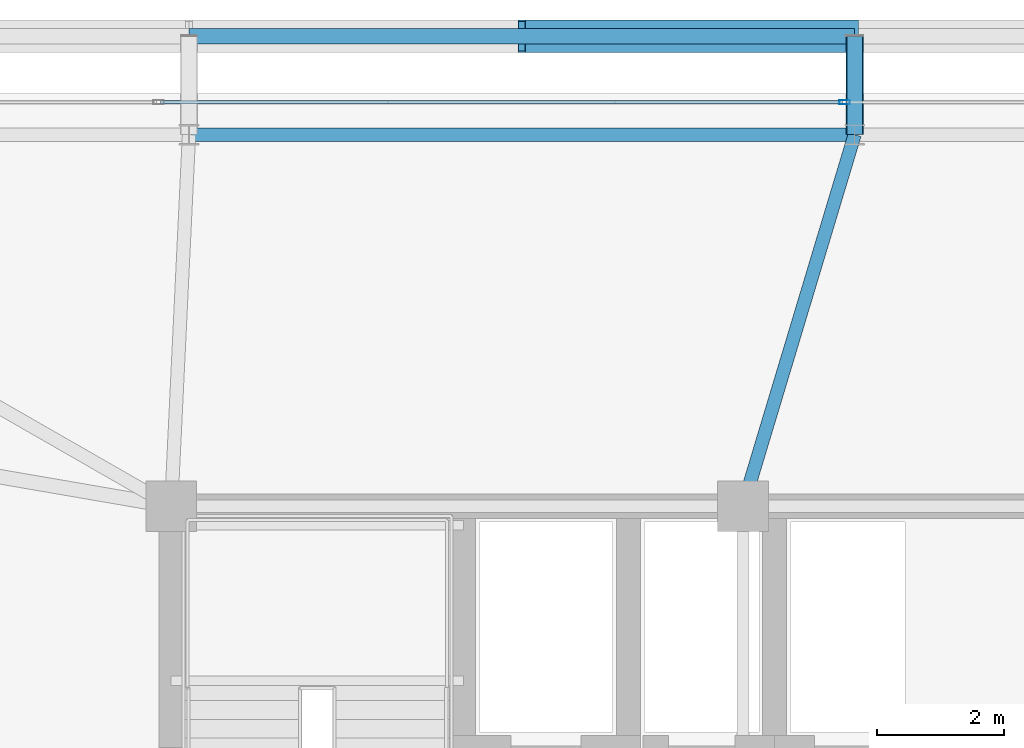
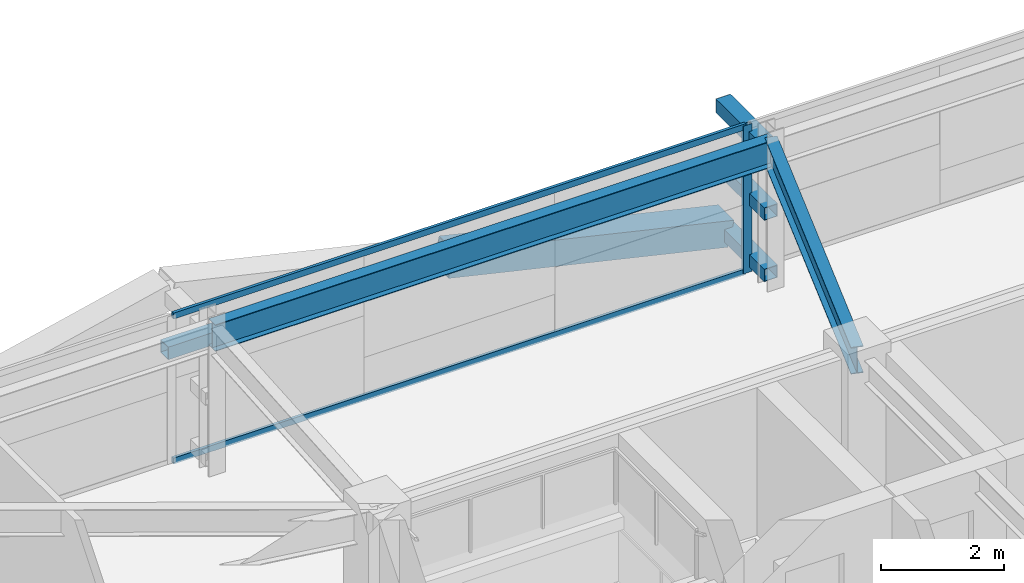
# One storey, part 24 of 44: 8 members, 2 beams, 1 element without a shape of its own.
"""IFC4 building model written with IfcOpenShell, lengths in metres."""

import ifcopenshell
import ifcopenshell.guid

model = None  # the IFC model being written
_history = None  # IfcOwnerHistory: only IFC2X3 demands one
_inside = {}  # id of a spatial element -> (the spatial element, [elements in it])
_under = {}  # id of a project, library or spatial element -> (it, [spatial elements below it])
_declared = {}  # id of a project -> (the project, [libraries it declares])
_typed = {}  # id of a type object -> (the type object, [elements of that type])
_made_of = {}  # id of a material, layer set ... -> (it, [elements and type objects made of it])


def new_model(schema):
    """Start an empty IFC model of exactly this schema.

    Asked for "IFC4X3", IfcOpenShell would pick the latest addendum, in which some entities
    have other attributes; the version numbers below select the first issue.
    IFC2X3 requires an IfcOwnerHistory on every rooted entity: one is made here for all.
    """
    global model, _history
    if schema == "IFC4X3":
        model = ifcopenshell.file(schema_version=(4, 3, 0, 0))
    else:
        model = ifcopenshell.file(schema=schema)
    _inside.clear()
    _under.clear()
    _declared.clear()
    _typed.clear()
    _made_of.clear()
    _history = None
    if model.schema == "IFC2X3":
        org = make("IfcOrganization", Name="unknown")
        user = make(
            "IfcPersonAndOrganization",
            ThePerson=make("IfcPerson", FamilyName="unknown"),
            TheOrganization=org,
        )
        app = make(
            "IfcApplication",
            ApplicationDeveloper=org,
            Version="unknown",
            ApplicationFullName="unknown",
            ApplicationIdentifier="unknown",
        )
        _history = make(
            "IfcOwnerHistory",
            OwningUser=user,
            OwningApplication=app,
            ChangeAction="ADDED",
            CreationDate=0,
        )
    return model


def make(cls, **values):
    """One entity of the class cls with the attributes given. An attribute that is None is left unset."""
    return model.create_entity(
        cls, **{name: value for name, value in values.items() if value is not None}
    )


def rooted(cls, **values):
    """An entity with a GlobalId (a new one), such as an element, a storey or a relation."""
    return make(cls, GlobalId=ifcopenshell.guid.new(), OwnerHistory=_history, **values)


def si_unit(unit_type, name, prefix=None):
    """IfcSIUnit, for example si_unit("LENGTHUNIT", "METRE", prefix="MILLI")."""
    return make("IfcSIUnit", UnitType=unit_type, Prefix=prefix, Name=name)


def assignment(units):
    """IfcUnitAssignment: the units of a project."""
    return None if units is None else make("IfcUnitAssignment", Units=units)


def point(xyz):
    """IfcCartesianPoint."""
    return None if xyz is None else make("IfcCartesianPoint", Coordinates=xyz)


def direction(xyz):
    """IfcDirection."""
    return None if xyz is None else make("IfcDirection", DirectionRatios=xyz)


def frame(location, z_axis=None, x_axis=None):
    """IfcAxis2Placement3D, a coordinate frame: its origin and axes. An axis left out is left unset."""
    return make(
        "IfcAxis2Placement3D",
        Location=point(location),
        Axis=direction(z_axis),
        RefDirection=direction(x_axis),
    )


def frame_2d(location, x_axis=None):
    """IfcAxis2Placement2D, a coordinate frame in the plane: its origin and x axis."""
    return make(
        "IfcAxis2Placement2D", Location=point(location), RefDirection=direction(x_axis)
    )


def origin():
    """The frame at (0, 0, 0) with its axes left unset."""
    return frame((0.0, 0.0, 0.0))


def origin_2d():
    """The frame at (0, 0) in the plane with its x axis left unset."""
    return frame_2d((0.0, 0.0))


def place(relative_to, where):
    """IfcLocalPlacement: puts the frame where relative to a parent placement (None: the world)."""
    return make(
        "IfcLocalPlacement", PlacementRelTo=relative_to, RelativePlacement=where
    )


def context(
    kind, dimensions, precision=None, world=None, true_north=None, identifier=None
):
    """IfcGeometricRepresentationContext, for example the 3D "Model" context."""
    return make(
        "IfcGeometricRepresentationContext",
        ContextIdentifier=identifier,
        ContextType=kind,
        CoordinateSpaceDimension=dimensions,
        Precision=precision,
        WorldCoordinateSystem=world,
        TrueNorth=true_north,
    )


def subcontext(parent, identifier, kind, view, scale=None):
    """IfcGeometricRepresentationSubContext, for example "Body" below "Model"."""
    return make(
        "IfcGeometricRepresentationSubContext",
        ContextIdentifier=identifier,
        ContextType=kind,
        ParentContext=parent,
        TargetScale=scale,
        TargetView=view,
    )


def project(units=None, contexts=None):
    """IfcProject with its units and contexts."""
    return rooted(
        "IfcProject",
        Name="project",
        RepresentationContexts=contexts,
        UnitsInContext=assignment(units),
    )


def spatial(cls, under=None, at=None, **own):
    """A site, building, storey or space (cls), placed at a placement, below another one or the project."""
    s = rooted(cls, ObjectPlacement=at, **own)
    if under is not None:
        _under.setdefault(under.id(), (under, []))[1].append(s)
    return s


def profile(cls, at=None, kind="AREA", **sizes):
    """A parametric profile (cls). Its sizes go by their IFC names, for example OverallWidth=200.0."""
    return make(cls, ProfileType=kind, Position=at, **sizes)


def hollow_rectangle(**sizes):
    """IfcRectangleHollowProfileDef."""
    return profile("IfcRectangleHollowProfileDef", **sizes)


def i_section(**sizes):
    """IfcIShapeProfileDef."""
    return profile("IfcIShapeProfileDef", **sizes)


def extrude(swept, where, along, depth):
    """IfcExtrudedAreaSolid: the profile swept, set in the frame where, extruded along a direction by depth."""
    return make(
        "IfcExtrudedAreaSolid",
        SweptArea=swept,
        Position=where,
        ExtrudedDirection=direction(along),
        Depth=depth,
    )


def shape(context_of_items, identifier, shape_type, items):
    """IfcShapeRepresentation: the items that make up one representation, for example the "Body"."""
    return make(
        "IfcShapeRepresentation",
        ContextOfItems=context_of_items,
        RepresentationIdentifier=identifier,
        RepresentationType=shape_type,
        Items=items,
    )


def source(mapping_origin, context_of_items, identifier, shape_type, items):
    """IfcRepresentationMap: a shape defined once, which mapped items show again and again."""
    return make(
        "IfcRepresentationMap",
        MappingOrigin=mapping_origin,
        MappedRepresentation=shape(context_of_items, identifier, shape_type, items),
    )


def transform(
    local_origin,
    x_axis=None,
    y_axis=None,
    z_axis=None,
    scale=None,
    scale2=None,
    scale3=None,
    uniform=True,
):
    """IfcCartesianTransformationOperator3D, or its non-uniform kind. x_axis, y_axis, z_axis: its Axis1, 2, 3."""
    if uniform:
        return make(
            "IfcCartesianTransformationOperator3D",
            Axis1=direction(x_axis),
            Axis2=direction(y_axis),
            LocalOrigin=point(local_origin),
            Scale=scale,
            Axis3=direction(z_axis),
        )
    return make(
        "IfcCartesianTransformationOperator3DnonUniform",
        Axis1=direction(x_axis),
        Axis2=direction(y_axis),
        LocalOrigin=point(local_origin),
        Scale=scale,
        Axis3=direction(z_axis),
        Scale2=scale2,
        Scale3=scale3,
    )


def mapped(mapping_source, mapping_target):
    """IfcMappedItem: shows the shape of a source again, moved by a transform."""
    return make(
        "IfcMappedItem", MappingSource=mapping_source, MappingTarget=mapping_target
    )


def material(Name=None, Category=None):
    """IfcMaterial."""
    return make("IfcMaterial", Name=Name, Category=Category)


def layer(
    of_material, thickness, ventilated=None, Name=None, Category=None, Priority=None
):
    """IfcMaterialLayer: one layer of a wall or slab, of a material (None: an air gap)."""
    return make(
        "IfcMaterialLayer",
        Material=of_material,
        LayerThickness=thickness,
        IsVentilated=ventilated,
        Name=Name,
        Category=Category,
        Priority=Priority,
    )


def layer_set(layers, Name=None):
    """IfcMaterialLayerSet."""
    return make("IfcMaterialLayerSet", MaterialLayers=layers, LayerSetName=Name)


def material_profile(
    of_material, cross_section, Name=None, Category=None, Priority=None
):
    """IfcMaterialProfile: a cross section and its material."""
    return make(
        "IfcMaterialProfile",
        Name=Name,
        Material=of_material,
        Profile=cross_section,
        Priority=Priority,
        Category=Category,
    )


def profile_set(profiles, Name=None, composite=None):
    """IfcMaterialProfileSet."""
    return make(
        "IfcMaterialProfileSet",
        Name=Name,
        MaterialProfiles=profiles,
        CompositeProfile=composite,
    )


def made_of(thing, what):
    """Note that an element or type object is made of a material, layer set ...; save() writes the relation."""
    if what is not None:
        _made_of.setdefault(what.id(), (what, []))[1].append(thing)
    return thing


def type_object(cls, material=None, **own):
    """A type object (cls), such as IfcWallType, which elements share."""
    return made_of(rooted(cls, **own), material)


def element(
    cls,
    number,
    at=None,
    inside=None,
    cuts=None,
    type_object=None,
    material=None,
    context=None,
    identifier="Body",
    shape_type=None,
    held_by="IfcProductDefinitionShape",
    body=None,
    shapes=None,
    **own,
):
    """One element of the class cls, such as IfcWall. Its Tag is "e" and its number.

    at: its placement. inside: the storey or other place that contains it. cuts: it is an
    opening in that element (IfcRelVoidsElement). A single representation is given by context,
    identifier, shape_type and body (its items); several are given by shapes. held_by: the class
    of the entity that holds the representations. save() writes the other relations.
    """
    e = rooted(cls, Tag="e%d" % number, ObjectPlacement=at, **own)
    if body is not None:
        shapes = [shape(context, identifier, shape_type, body)]
    if shapes is not None:
        e.Representation = make(held_by, Representations=shapes)
    if inside is not None:
        _inside.setdefault(inside.id(), (inside, []))[1].append(e)
    if cuts is not None:
        rooted(
            "IfcRelVoidsElement", RelatingBuildingElement=cuts, RelatedOpeningElement=e
        )
    if type_object is not None:
        _typed.setdefault(type_object.id(), (type_object, []))[1].append(e)
    return made_of(e, material)


def aggregate(whole, parts):
    """IfcRelAggregates: a whole, such as a stair, and the parts it consists of."""
    return rooted("IfcRelAggregates", RelatingObject=whole, RelatedObjects=parts)


def save(model, path):
    """Write the relations noted so far, then the file.

    IfcRelAggregates (storeys below a building ...), IfcRelContainedInSpatialStructure (elements
    in a storey), IfcRelDefinesByType, IfcRelAssociatesMaterial and IfcRelDeclares: one each for
    every whole, place, type object, material and project.
    """
    for whole, parts in _under.values():
        aggregate(whole, parts)
    for where, things in _inside.values():
        rooted(
            "IfcRelContainedInSpatialStructure",
            RelatedElements=things,
            RelatingStructure=where,
        )
    for kind, things in _typed.values():
        rooted("IfcRelDefinesByType", RelatedObjects=things, RelatingType=kind)
    for what, things in _made_of.values():
        rooted("IfcRelAssociatesMaterial", RelatedObjects=things, RelatingMaterial=what)
    for by, libraries in _declared.values():
        rooted("IfcRelDeclares", RelatingContext=by, RelatedDefinitions=libraries)
    model.write(path)


model = new_model("IFC4")

# Units and contexts
model_context = context("Model", 3, precision=1e-05, world=origin(), true_north=direction((0.0, 1.0)))
body_context = subcontext(model_context, "Body", "Model", "MODEL_VIEW")
ifc_project = project(units=[si_unit("LENGTHUNIT", "METRE"), si_unit("AREAUNIT", "SQUARE_METRE"), si_unit("VOLUMEUNIT", "CUBIC_METRE"), si_unit("PLANEANGLEUNIT", "RADIAN"), si_unit("MASSUNIT", "GRAM", prefix="KILO")], contexts=[model_context])

# Site, building, storey
site_placement = place(None, origin())
site = spatial("IfcSite", under=ifc_project, at=site_placement, CompositionType="ELEMENT")
building_placement = place(site_placement, origin())
building = spatial("IfcBuilding", under=site, at=building_placement, Name="Taldren Reach Tower", CompositionType="ELEMENT")
storey_placement = place(building_placement, frame((0.0, 0.0, 42.0)))
storey = spatial("IfcBuildingStorey", under=building, at=storey_placement, Name="L12", CompositionType="ELEMENT", Elevation=42.0)

# Beams
ifc_material_1 = material(Name="Steel Gr 350 (350PLUS)", Category="steel")
ifc_material_profile_1 = material_profile(ifc_material_1, i_section(OverallWidth=0.208984375, OverallDepth=0.528076171875, WebThickness=0.009521484375, FlangeThickness=0.01318359375, at=origin_2d()), Name="530UB82.0")
ifc_profile_set_1 = profile_set([ifc_material_profile_1], Name="Steel Gr 350 (350PLUS)")
beam_type_1 = type_object("IfcBeamType", Name="SP-UB530B", PredefinedType="SPANDREL", material=ifc_profile_set_1)
shared_shape_1 = source(origin(), body_context, "Body", "SweptSolid", [
    extrude(i_section(OverallWidth=0.208984375, OverallDepth=0.528076171875, WebThickness=0.009521484375, FlangeThickness=0.01318359375, at=origin_2d()), origin(), (0.0, 0.0, 1.0), 10.47998046875),
])
beam_1_placement = place(storey_placement, frame((29.760009765625, 37.85009765625, 2.666015625), z_axis=(-1.0, 0.0, 0.0), x_axis=(0.0, -1.0, 0.0)))
element("IfcBeam", 1, at=beam_1_placement, inside=storey, type_object=beam_type_1, Name="Perimeter spandrel B1 N3-N2 L12", PredefinedType="SPANDREL", context=body_context, shape_type="MappedRepresentation", body=[
    mapped(shared_shape_1, transform((0.0, 0.0, 0.0), scale=1.0)),
])
ifc_material_profile_2 = material_profile(ifc_material_1, i_section(OverallWidth=0.208984375, OverallDepth=0.532958984375, WebThickness=0.01025390625, FlangeThickness=0.015625, at=origin_2d()), Name="530UB92.4")
ifc_profile_set_2 = profile_set([ifc_material_profile_2], Name="Steel Gr 350 (350PLUS)")
beam_type_2 = type_object("IfcBeamType", Name="BM-UB530A", PredefinedType="BEAM", material=ifc_profile_set_2)
shared_shape_2 = source(origin(), body_context, "Body", "SweptSolid", [
    extrude(i_section(OverallWidth=0.208984375, OverallDepth=0.532958984375, WebThickness=0.01025390625, FlangeThickness=0.015625, at=origin_2d()), origin(), (0.0, 0.0, 1.0), 6.109130859375),
])
beam_2_placement = place(storey_placement, frame((28.0, 32.0, 2.66357421875), z_axis=(0.288095735745, 0.957601611864, 0.0), x_axis=(-0.957601611864, 0.288095735745, 0.0)))
element("IfcBeam", 2, at=beam_2_placement, inside=storey, type_object=beam_type_2, Name="Primary floor girder B1-N3 L12", PredefinedType="BEAM", context=body_context, shape_type="MappedRepresentation", body=[
    mapped(shared_shape_2, transform((0.0, 0.0, 0.0), scale=1.0)),
])

# Members
ifc_material_2 = material(Name="Steel Gr 450 (C450L0)", Category="steel")
ifc_material_profile_3 = material_profile(ifc_material_2, hollow_rectangle(XDim=0.27490234375, YDim=0.27490234375, WallThickness=0.00927734375, at=origin_2d()), Name="275x275x9.3SHS")
ifc_profile_set_3 = profile_set([ifc_material_profile_3], Name="Steel Gr 450 (C450L0)")
member_type_1 = type_object("IfcMemberType", Name="MB-TIE273", PredefinedType="STRUT", material=ifc_profile_set_3)
shared_shape_3 = source(origin(), body_context, "Body", "SweptSolid", [
    extrude(hollow_rectangle(XDim=0.27490234375, YDim=0.27490234375, WallThickness=0.00927734375, at=origin_2d()), origin(), (0.0, 0.0, 1.0), 1.5498046875),
])
member_1_placement = place(storey_placement, frame((29.760009765625, 37.85009765625, 2.64990234375), z_axis=(0.0, 1.0, 0.0), x_axis=(-1.0, 0.0, 0.0)))
element("IfcMember", 3, at=member_1_placement, inside=storey, type_object=member_type_1, Name="Exoskeleton diaphragm tie strut B1-N3 L12", PredefinedType="STRUT", context=body_context, shape_type="MappedRepresentation", body=[
    mapped(shared_shape_3, transform((0.0, 0.0, 0.0), scale=1.0)),
])
ifc_material_profile_4 = material_profile(ifc_material_2, hollow_rectangle(XDim=0.510009765625, YDim=0.510009765625, WallThickness=0.02001953125, at=origin_2d()), Name="510x510x20.0SHS")
ifc_profile_set_4 = profile_set([ifc_material_profile_4], Name="Steel Gr 450 (C450L0)")
member_type_2 = type_object("IfcMemberType", Name="MB-EXO508", PredefinedType="BRACE", material=ifc_profile_set_4)
shared_shape_4 = source(origin(), body_context, "Body", "SweptSolid", [
    extrude(hollow_rectangle(XDim=0.510009765625, YDim=0.510009765625, WallThickness=0.02001953125, at=origin_2d()), origin(), (0.0, 0.0, 1.0), 5.37890625),
])
member_2_placement = place(storey_placement, frame((29.760009765625, 39.39990234375, 0.219970703125), z_axis=(-0.97415197996, 0.0, 0.225893603143), x_axis=(0.0, -1.0, 0.0)))
element("IfcMember", 4, at=member_2_placement, inside=storey, type_object=member_type_2, Name="Exoskeleton Diagrid Brace B1-N2 L12", PredefinedType="BRACE", context=body_context, shape_type="MappedRepresentation", body=[
    mapped(shared_shape_4, transform((0.0, 0.0, 0.0), scale=1.0)),
])
ifc_material_3 = material(Name="Steel Gr 350 (C350L0)", Category="steel")
ifc_material_profile_5 = material_profile(ifc_material_3, hollow_rectangle(XDim=0.25, YDim=0.25, WallThickness=0.010009765625, at=origin_2d()), Name="250x250x10.0SHS")
ifc_profile_set_5 = profile_set([ifc_material_profile_5], Name="Steel Gr 350 (C350L0)")
member_type_3 = type_object("IfcMemberType", Name="MB-POST250", PredefinedType="POST", material=ifc_profile_set_5)
shared_shape_5 = source(origin(), body_context, "Body", "SweptSolid", [
    extrude(hollow_rectangle(XDim=0.25, YDim=0.25, WallThickness=0.010009765625, at=origin_2d()), origin(), (0.0, 0.0, 1.0), 10.47998046875),
])
member_3_placement = place(storey_placement, frame((19.280029296875, 39.39990234375, 1.43505859375), z_axis=(1.0, 0.0, 0.0), x_axis=(0.0, 1.0, 0.0)))
element("IfcMember", 5, at=member_3_placement, inside=storey, type_object=member_type_3, Name="Exoskeleton mid-height ring chord B1-N2 L12", PredefinedType="POST", context=body_context, shape_type="MappedRepresentation", body=[
    mapped(shared_shape_5, transform((0.0, 0.0, 0.0), scale=1.0)),
])
shared_shape_6 = source(origin(), body_context, "Body", "SweptSolid", [
    extrude(hollow_rectangle(XDim=0.25, YDim=0.25, WallThickness=0.010009765625, at=origin_2d()), origin(), (0.0, 0.0, 1.0), 1.5498046875),
])
for number, where, z_axis, x_axis, name in (
    (6, (29.760009765625, 37.85009765625, 0.219970703125), (0.0, 1.0, 0.0), (-1.0, 0.0, 0.0), "Exoskeleton base diaphragm tie strut B1-N3 L12"),
    (7, (29.760009765625, 37.85009765625, 1.43505859375), (0.0, 1.0, 0.0), (-1.0, 0.0, 0.0), "Exoskeleton mid-tier diaphragm tie B1-N3 L12"),
):
    element("IfcMember", number, at=place(storey_placement, frame(where, z_axis=z_axis, x_axis=x_axis)), inside=storey, type_object=member_type_3, Name=name, PredefinedType="POST", context=body_context, shape_type="MappedRepresentation", body=[
        mapped(shared_shape_6, transform((0.0, 0.0, 0.0), scale=1.0)),
    ])

# Curtain wall, members
ifc_material_4 = material(Name="Aluminium and Low-E Glass Unitised System", Category="aluminium")
ifc_layer = layer(ifc_material_4, 0.159912109375)
ifc_layer_set = layer_set([ifc_layer], Name="Aluminium and Low-E Glass Unitised System")
curtain_wall_type = type_object("IfcCurtainWallType", Name="CW-SYS-2", PredefinedType="NOTDEFINED", material=ifc_layer_set)
curtain_wall_placement = place(storey_placement, origin())
curtain_wall = element("IfcCurtainWall", 8, at=curtain_wall_placement, inside=storey, type_object=curtain_wall_type, Name="Unitised curtain wall CW-L12-N", PredefinedType="NOTDEFINED")
ifc_material_5 = material(Name="Anodised Aluminium 6063-T6", Category="aluminium")
ifc_material_profile_6 = material_profile(ifc_material_5, hollow_rectangle(XDim=0.06494140625, YDim=0.1650390625, WallThickness=0.00390625, at=origin_2d()), Name="ALU-165x65x4RHS")
ifc_profile_set_6 = profile_set([ifc_material_profile_6], Name="Anodised Aluminium 6063-T6")
member_type_4 = type_object("IfcMemberType", Name="CW-MUL-165", PredefinedType="MULLION", material=ifc_profile_set_6)
shared_shape_7 = source(origin(), body_context, "Body", "SweptSolid", [
    extrude(hollow_rectangle(XDim=0.06494140625, YDim=0.1650390625, WallThickness=0.00390625, at=origin_2d()), origin(), (0.0, 0.0, 1.0), 2.929931640625),
])
member_4_placement = place(storey_placement, frame((29.60009765625, 38.360107421875, 0.0), z_axis=(0.0, 0.0, 1.0), x_axis=(0.0, -1.0, 0.0)))
member_4 = element("IfcMember", 9, at=member_4_placement, type_object=member_type_4, Name="CW-2 mullion 4", PredefinedType="MULLION", context=body_context, shape_type="MappedRepresentation", body=[
    mapped(shared_shape_7, transform((0.0, 0.0, 0.0), scale=1.0)),
])
ifc_material_profile_7 = material_profile(ifc_material_5, hollow_rectangle(XDim=0.054931640625, YDim=0.1201171875, WallThickness=0.0029296875, at=origin_2d()), Name="ALU-120x55x3RHS")
ifc_profile_set_7 = profile_set([ifc_material_profile_7], Name="Anodised Aluminium 6063-T6")
member_type_5 = type_object("IfcMemberType", Name="CW-TRN-135", PredefinedType="USERDEFINED", material=ifc_profile_set_7)
shared_shape_8 = source(origin(), body_context, "Body", "SweptSolid", [
    extrude(hollow_rectangle(XDim=0.054931640625, YDim=0.1201171875, WallThickness=0.0029296875, at=origin_2d()), origin(), (0.0, 0.0, 1.0), 10.73486328125),
])
member_5_placement = place(storey_placement, frame((29.5673828125, 38.360107421875, 0.027587890625), z_axis=(-1.0, 0.0, 0.0), x_axis=(0.0, -1.0, 0.0)))
member_5 = element("IfcMember", 10, at=member_5_placement, type_object=member_type_5, Name="CW-2 transom 4.1", ObjectType="TRANSOM", PredefinedType="USERDEFINED", context=body_context, shape_type="MappedRepresentation", body=[
    mapped(shared_shape_8, transform((0.0, 0.0, 0.0), scale=1.0)),
])
member_6_placement = place(storey_placement, frame((29.5673828125, 38.360107421875, 2.902587890625), z_axis=(-1.0, 0.0, 0.0), x_axis=(0.0, -1.0, 0.0)))
member_6 = element("IfcMember", 11, at=member_6_placement, type_object=member_type_5, Name="CW-2 transom 4.2", ObjectType="TRANSOM", PredefinedType="USERDEFINED", context=body_context, shape_type="MappedRepresentation", body=[
    mapped(shared_shape_8, transform((0.0, 0.0, 0.0), scale=1.0)),
])
aggregate(curtain_wall, [member_4, member_5, member_6])

save(model, "model.ifc")
